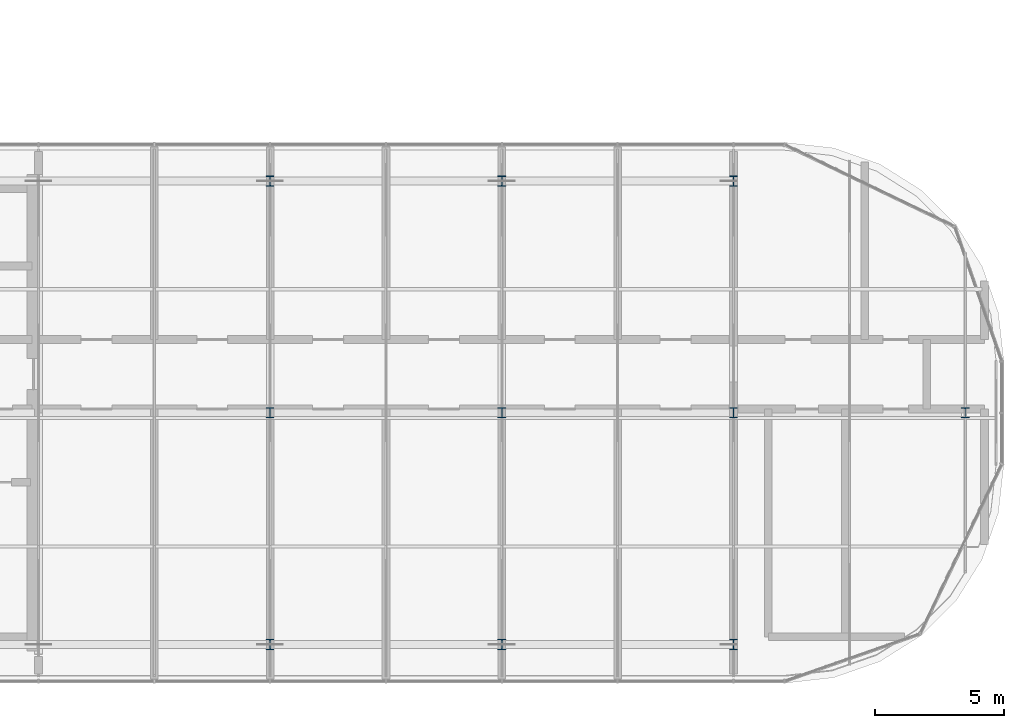
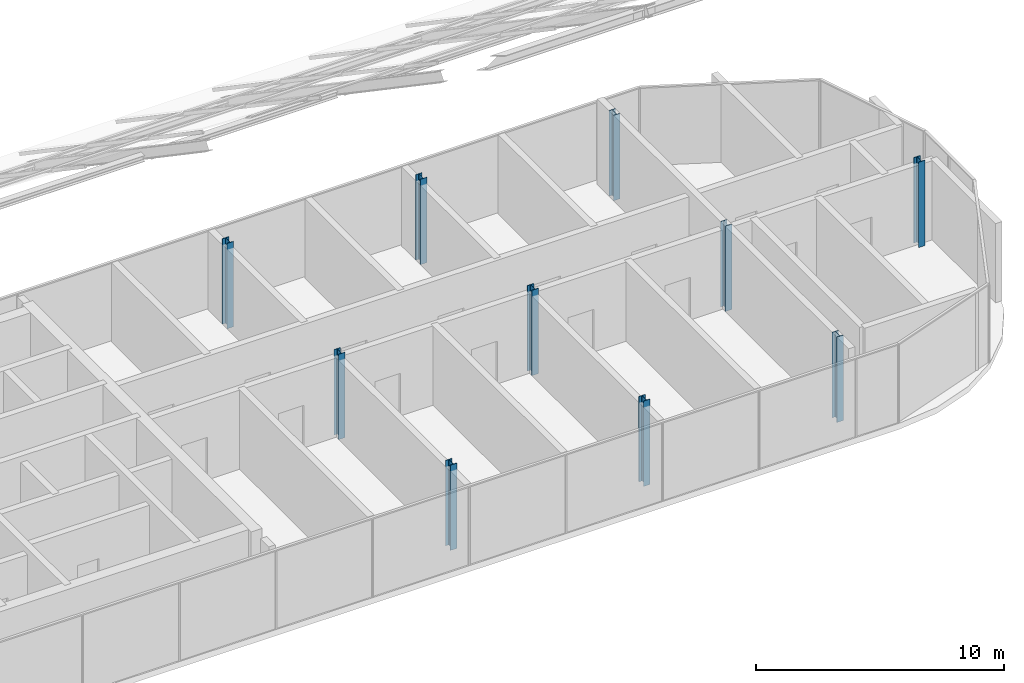
# One storey, part 1 of 25: 10 columns.
"""IFC4 building model written with IfcOpenShell, lengths in metres."""

from ifc_helpers import new_model, si_unit, direction, frame, origin, origin_2d, place, context, subcontext, project, spatial, i_section, extrude, material, material_profile, profile_set, type_object, element, save


model = new_model("IFC4")

# Units and contexts
model_context = context("Model", 3, precision=1e-05, world=origin(), true_north=direction((0.0, 1.0)))
body_context = subcontext(model_context, "Body", "Model", "MODEL_VIEW")
ifc_project = project(units=[si_unit("LENGTHUNIT", "METRE"), si_unit("AREAUNIT", "SQUARE_METRE"), si_unit("VOLUMEUNIT", "CUBIC_METRE"), si_unit("PLANEANGLEUNIT", "RADIAN"), si_unit("MASSUNIT", "GRAM", prefix="KILO")], contexts=[model_context])

# Site, building, storey
site_placement = place(None, origin())
site = spatial("IfcSite", under=ifc_project, at=site_placement, CompositionType="ELEMENT")
building_placement = place(site_placement, origin())
building = spatial("IfcBuilding", under=site, at=building_placement, Name="Ogive Portal Towers", CompositionType="ELEMENT")
storey_placement = place(building_placement, frame((0.0, 0.0, 272.89990234375)))
storey = spatial("IfcBuildingStorey", under=building, at=storey_placement, Name="L66", CompositionType="ELEMENT", Elevation=272.89990234375)

# Columns
ifc_material = material(Name="Steel S355", Category="steel")
ifc_material_profile = material_profile(ifc_material, i_section(OverallWidth=0.300048828125, OverallDepth=0.39990234375, WebThickness=0.013427734375, FlangeThickness=0.02392578125, FilletRadius=0.027099609375, at=origin_2d()), Name="HEB 400")
ifc_profile_set = profile_set([ifc_material_profile], Name="Steel S355")
column_type = type_object("IfcColumnType", Name="CROWN COLUMN HEB 400", PredefinedType="COLUMN", material=ifc_profile_set)
for number, where, z_axis, x_axis, name in (
    (1, (67.5, 21.5, 0.0), (0.0, 0.0, 1.0), (1.0, 0.0, 0.0), "Crown column L66"),
    (2, (67.5, 30.5, 0.0), (0.0, 0.0, 1.0), (1.0, 0.0, 0.0), "Crown column L66"),
    (3, (67.5, 39.5, 0.0), (0.0, 0.0, 1.0), (1.0, 0.0, 0.0), "Crown column L66"),
    (4, (76.5, 21.5, 0.0), (0.0, 0.0, 1.0), (1.0, 0.0, 0.0), "Crown column L66"),
    (5, (76.5, 30.5, 0.0), (0.0, 0.0, 1.0), (1.0, 0.0, 0.0), "Crown column L66"),
    (6, (76.5, 39.5, 0.0), (0.0, 0.0, 1.0), (1.0, 0.0, 0.0), "Crown column L66"),
    (7, (85.5, 21.5, 0.0), (0.0, 0.0, 1.0), (1.0, 0.0, 0.0), "Crown column L66"),
    (8, (85.5, 30.5, 0.0), (0.0, 0.0, 1.0), (1.0, 0.0, 0.0), "Crown column L66"),
    (9, (85.5, 39.5, 0.0), (0.0, 0.0, 1.0), (1.0, 0.0, 0.0), "Crown column L66"),
    (10, (94.5, 30.5, 0.0), (0.0, 0.0, 1.0), (1.0, 0.0, 0.0), "Crown column L66"),
):
    element("IfcColumn", number, at=place(storey_placement, frame(where, z_axis=z_axis, x_axis=x_axis)), inside=storey, type_object=column_type, Name=name, PredefinedType="COLUMN", context=body_context, shape_type="SweptSolid", body=[
        extrude(i_section(OverallWidth=0.300048828125, OverallDepth=0.39990234375, WebThickness=0.013427734375, FlangeThickness=0.02392578125, FilletRadius=0.027099609375, at=origin_2d()), origin(), (0.0, 0.0, 1.0), 4.2001953125),
    ])

save(model, "model.ifc")
